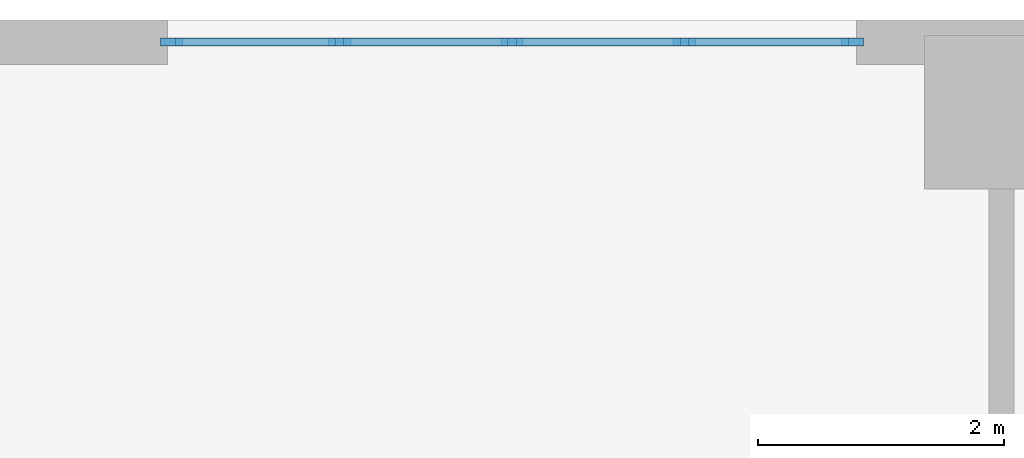
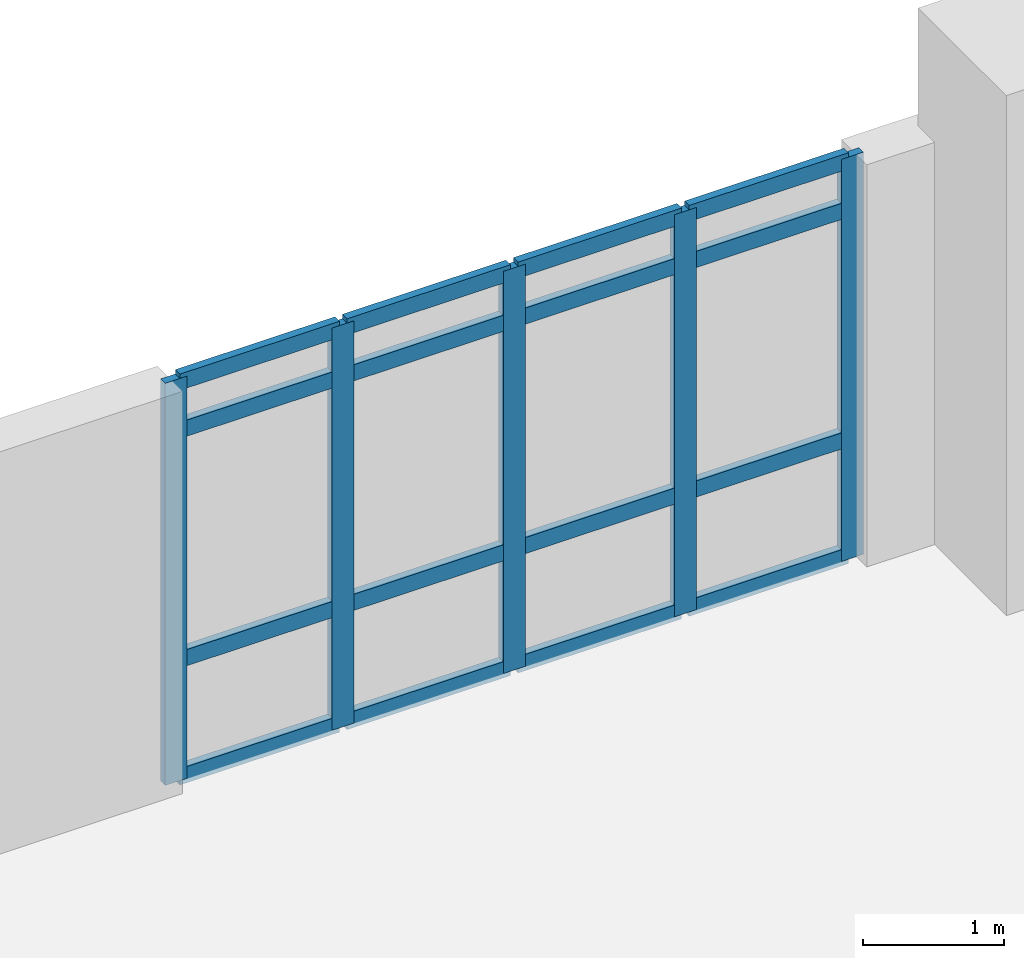
# One storey, part 4 of 15: 21 members, 1 element without a shape of its own.
"""IFC4 building model written with IfcOpenShell, lengths in metres."""

from ifc_helpers import new_model, si_unit, direction, frame, origin, origin_2d, place, context, subcontext, project, spatial, rectangle, extrude, material, material_profile, profile_set, type_object, element, aggregate, save


model = new_model("IFC4")

# Units and contexts
model_context = context("Model", 3, precision=1e-05, world=origin(), true_north=direction((0.0, 1.0)))
body_context = subcontext(model_context, "Body", "Model", "MODEL_VIEW")
ifc_project = project(units=[si_unit("LENGTHUNIT", "METRE"), si_unit("AREAUNIT", "SQUARE_METRE"), si_unit("VOLUMEUNIT", "CUBIC_METRE"), si_unit("PLANEANGLEUNIT", "RADIAN"), si_unit("MASSUNIT", "GRAM", prefix="KILO")], contexts=[model_context])

# Site, building, storey
site_placement = place(None, origin())
site = spatial("IfcSite", under=ifc_project, at=site_placement, CompositionType="ELEMENT")
building_placement = place(site_placement, origin())
building = spatial("IfcBuilding", under=site, at=building_placement, Name="Svetorya Sky Lyceum", CompositionType="ELEMENT")
storey_placement = place(building_placement, frame((0.0, 0.0, 6.60009765625)))
storey = spatial("IfcBuildingStorey", under=building, at=storey_placement, Name="L01", CompositionType="ELEMENT", Elevation=6.60009765625)

# Curtain wall, members
ifc_material_1 = material(Name="Thermally broken anodized aluminium and triple low-E glass", Category="aluminium")
curtain_wall_type = type_object("IfcCurtainWallType", Name="CW2-SCH-RIB", PredefinedType="NOTDEFINED", material=ifc_material_1)
curtain_wall_placement = place(storey_placement, origin())
curtain_wall = element("IfcCurtainWall", 1, at=curtain_wall_placement, inside=storey, type_object=curtain_wall_type, Name="L01 Lyceum Classroom Ribbon Curtain Wall 18", PredefinedType="NOTDEFINED")
ifc_material_2 = material(Name="Thermally broken anodized aluminium EN AW-6060", Category="aluminium")
ifc_material_profile_1 = material_profile(ifc_material_2, rectangle(XDim=0.06494140625, YDim=0.179931640625, at=origin_2d()), Name="ALU MULLION 65x180")
ifc_profile_set_1 = profile_set([ifc_material_profile_1], Name="Thermally broken anodized aluminium EN AW-6060")
member_type_1 = type_object("IfcMemberType", Name="CWM-MUL-180", PredefinedType="MULLION", material=ifc_profile_set_1)
member_1_placement = place(storey_placement, frame((62.137451171875, 56.219970703125, 0.0), z_axis=(0.0, 0.0, 1.0), x_axis=(0.0, -1.0, 0.0)))
member_1 = element("IfcMember", 2, at=member_1_placement, type_object=member_type_1, Name="CW-2 mullion 1", PredefinedType="MULLION", context=body_context, shape_type="SweptSolid", body=[
    extrude(rectangle(XDim=0.06494140625, YDim=0.179931640625, at=origin_2d()), origin(), (0.0, 0.0, 1.0), 3.47998046875),
])
member_2_placement = place(storey_placement, frame((60.77001953125, 56.219970703125, 0.0), z_axis=(0.0, 0.0, 1.0), x_axis=(0.0, -1.0, 0.0)))
member_2 = element("IfcMember", 3, at=member_2_placement, type_object=member_type_1, Name="CW-2 mullion 2", PredefinedType="MULLION", context=body_context, shape_type="SweptSolid", body=[
    extrude(rectangle(XDim=0.06494140625, YDim=0.179931640625, at=origin_2d()), origin(), (0.0, 0.0, 1.0), 3.47998046875),
])
member_3_placement = place(storey_placement, frame((59.3701171875, 56.219970703125, 0.0), z_axis=(0.0, 0.0, 1.0), x_axis=(0.0, -1.0, 0.0)))
member_3 = element("IfcMember", 4, at=member_3_placement, type_object=member_type_1, Name="CW-2 mullion 3", PredefinedType="MULLION", context=body_context, shape_type="SweptSolid", body=[
    extrude(rectangle(XDim=0.06494140625, YDim=0.179931640625, at=origin_2d()), origin(), (0.0, 0.0, 1.0), 3.47998046875),
])
member_4_placement = place(storey_placement, frame((57.969970703125, 56.219970703125, 0.0), z_axis=(0.0, 0.0, 1.0), x_axis=(0.0, -1.0, 0.0)))
member_4 = element("IfcMember", 5, at=member_4_placement, type_object=member_type_1, Name="CW-2 mullion 4", PredefinedType="MULLION", context=body_context, shape_type="SweptSolid", body=[
    extrude(rectangle(XDim=0.06494140625, YDim=0.179931640625, at=origin_2d()), origin(), (0.0, 0.0, 1.0), 3.47998046875),
])
member_5_placement = place(storey_placement, frame((56.6025390625, 56.219970703125, 0.0), z_axis=(0.0, 0.0, 1.0), x_axis=(0.0, -1.0, 0.0)))
member_5 = element("IfcMember", 6, at=member_5_placement, type_object=member_type_1, Name="CW-2 mullion 5", PredefinedType="MULLION", context=body_context, shape_type="SweptSolid", body=[
    extrude(rectangle(XDim=0.06494140625, YDim=0.179931640625, at=origin_2d()), origin(), (0.0, 0.0, 1.0), 3.47998046875),
])
ifc_material_profile_2 = material_profile(ifc_material_2, rectangle(XDim=0.06494140625, YDim=0.139892578125, at=origin_2d()), Name="ALU TRANSOM 65x140")
ifc_profile_set_2 = profile_set([ifc_material_profile_2], Name="Thermally broken anodized aluminium EN AW-6060")
member_type_2 = type_object("IfcMemberType", Name="CWM-TRN-140", PredefinedType="USERDEFINED", material=ifc_profile_set_2)
member_6_placement = place(storey_placement, frame((62.1064453125, 56.219970703125, 0.032470703125), z_axis=(-1.0, 0.0, 0.0), x_axis=(0.0, -1.0, 0.0)))
member_6 = element("IfcMember", 7, at=member_6_placement, type_object=member_type_2, Name="CW-2 transom 1.1", ObjectType="TRANSOM", PredefinedType="USERDEFINED", context=body_context, shape_type="SweptSolid", body=[
    extrude(rectangle(XDim=0.06494140625, YDim=0.139892578125, at=origin_2d()), origin(), (0.0, 0.0, 1.0), 1.305419921875),
])
member_7_placement = place(storey_placement, frame((62.1064453125, 56.219970703125, 1.0439453125), z_axis=(-1.0, 0.0, 0.0), x_axis=(0.0, -1.0, 0.0)))
member_7 = element("IfcMember", 8, at=member_7_placement, type_object=member_type_2, Name="CW-2 transom 1.2", ObjectType="TRANSOM", PredefinedType="USERDEFINED", context=body_context, shape_type="SweptSolid", body=[
    extrude(rectangle(XDim=0.06494140625, YDim=0.139892578125, at=origin_2d()), origin(), (0.0, 0.0, 1.0), 1.305419921875),
])
member_8_placement = place(storey_placement, frame((62.1064453125, 56.219970703125, 3.02978515625), z_axis=(-1.0, 0.0, 0.0), x_axis=(0.0, -1.0, 0.0)))
member_8 = element("IfcMember", 9, at=member_8_placement, type_object=member_type_2, Name="CW-2 transom 1.3", ObjectType="TRANSOM", PredefinedType="USERDEFINED", context=body_context, shape_type="SweptSolid", body=[
    extrude(rectangle(XDim=0.06494140625, YDim=0.139892578125, at=origin_2d()), origin(), (0.0, 0.0, 1.0), 1.305419921875),
])
member_9_placement = place(storey_placement, frame((62.1064453125, 56.219970703125, 3.447509765625), z_axis=(-1.0, 0.0, 0.0), x_axis=(0.0, -1.0, 0.0)))
member_9 = element("IfcMember", 10, at=member_9_placement, type_object=member_type_2, Name="CW-2 transom 1.4", ObjectType="TRANSOM", PredefinedType="USERDEFINED", context=body_context, shape_type="SweptSolid", body=[
    extrude(rectangle(XDim=0.06494140625, YDim=0.139892578125, at=origin_2d()), origin(), (0.0, 0.0, 1.0), 1.305419921875),
])
member_10_placement = place(storey_placement, frame((60.739013671875, 56.219970703125, 0.032470703125), z_axis=(-1.0, 0.0, 0.0), x_axis=(0.0, -1.0, 0.0)))
member_10 = element("IfcMember", 11, at=member_10_placement, type_object=member_type_2, Name="CW-2 transom 2.1", ObjectType="TRANSOM", PredefinedType="USERDEFINED", context=body_context, shape_type="SweptSolid", body=[
    extrude(rectangle(XDim=0.06494140625, YDim=0.139892578125, at=origin_2d()), origin(), (0.0, 0.0, 1.0), 1.338134765625),
])
member_11_placement = place(storey_placement, frame((60.739013671875, 56.219970703125, 1.0439453125), z_axis=(-1.0, 0.0, 0.0), x_axis=(0.0, -1.0, 0.0)))
member_11 = element("IfcMember", 12, at=member_11_placement, type_object=member_type_2, Name="CW-2 transom 2.2", ObjectType="TRANSOM", PredefinedType="USERDEFINED", context=body_context, shape_type="SweptSolid", body=[
    extrude(rectangle(XDim=0.06494140625, YDim=0.139892578125, at=origin_2d()), origin(), (0.0, 0.0, 1.0), 1.338134765625),
])
member_12_placement = place(storey_placement, frame((60.739013671875, 56.219970703125, 3.02978515625), z_axis=(-1.0, 0.0, 0.0), x_axis=(0.0, -1.0, 0.0)))
member_12 = element("IfcMember", 13, at=member_12_placement, type_object=member_type_2, Name="CW-2 transom 2.3", ObjectType="TRANSOM", PredefinedType="USERDEFINED", context=body_context, shape_type="SweptSolid", body=[
    extrude(rectangle(XDim=0.06494140625, YDim=0.139892578125, at=origin_2d()), origin(), (0.0, 0.0, 1.0), 1.338134765625),
])
member_13_placement = place(storey_placement, frame((60.739013671875, 56.219970703125, 3.447509765625), z_axis=(-1.0, 0.0, 0.0), x_axis=(0.0, -1.0, 0.0)))
member_13 = element("IfcMember", 14, at=member_13_placement, type_object=member_type_2, Name="CW-2 transom 2.4", ObjectType="TRANSOM", PredefinedType="USERDEFINED", context=body_context, shape_type="SweptSolid", body=[
    extrude(rectangle(XDim=0.06494140625, YDim=0.139892578125, at=origin_2d()), origin(), (0.0, 0.0, 1.0), 1.338134765625),
])
member_14_placement = place(storey_placement, frame((59.339111328125, 56.219970703125, 0.032470703125), z_axis=(-1.0, 0.0, 0.0), x_axis=(0.0, -1.0, 0.0)))
member_14 = element("IfcMember", 15, at=member_14_placement, type_object=member_type_2, Name="CW-2 transom 3.1", ObjectType="TRANSOM", PredefinedType="USERDEFINED", context=body_context, shape_type="SweptSolid", body=[
    extrude(rectangle(XDim=0.06494140625, YDim=0.139892578125, at=origin_2d()), origin(), (0.0, 0.0, 1.0), 1.338134765625),
])
member_15_placement = place(storey_placement, frame((59.339111328125, 56.219970703125, 1.0439453125), z_axis=(-1.0, 0.0, 0.0), x_axis=(0.0, -1.0, 0.0)))
member_15 = element("IfcMember", 16, at=member_15_placement, type_object=member_type_2, Name="CW-2 transom 3.2", ObjectType="TRANSOM", PredefinedType="USERDEFINED", context=body_context, shape_type="SweptSolid", body=[
    extrude(rectangle(XDim=0.06494140625, YDim=0.139892578125, at=origin_2d()), origin(), (0.0, 0.0, 1.0), 1.338134765625),
])
member_16_placement = place(storey_placement, frame((59.339111328125, 56.219970703125, 3.02978515625), z_axis=(-1.0, 0.0, 0.0), x_axis=(0.0, -1.0, 0.0)))
member_16 = element("IfcMember", 17, at=member_16_placement, type_object=member_type_2, Name="CW-2 transom 3.3", ObjectType="TRANSOM", PredefinedType="USERDEFINED", context=body_context, shape_type="SweptSolid", body=[
    extrude(rectangle(XDim=0.06494140625, YDim=0.139892578125, at=origin_2d()), origin(), (0.0, 0.0, 1.0), 1.338134765625),
])
member_17_placement = place(storey_placement, frame((59.339111328125, 56.219970703125, 3.447509765625), z_axis=(-1.0, 0.0, 0.0), x_axis=(0.0, -1.0, 0.0)))
member_17 = element("IfcMember", 18, at=member_17_placement, type_object=member_type_2, Name="CW-2 transom 3.4", ObjectType="TRANSOM", PredefinedType="USERDEFINED", context=body_context, shape_type="SweptSolid", body=[
    extrude(rectangle(XDim=0.06494140625, YDim=0.139892578125, at=origin_2d()), origin(), (0.0, 0.0, 1.0), 1.338134765625),
])
member_18_placement = place(storey_placement, frame((57.93896484375, 56.219970703125, 0.032470703125), z_axis=(-1.0, 0.0, 0.0), x_axis=(0.0, -1.0, 0.0)))
member_18 = element("IfcMember", 19, at=member_18_placement, type_object=member_type_2, Name="CW-2 transom 4.1", ObjectType="TRANSOM", PredefinedType="USERDEFINED", context=body_context, shape_type="SweptSolid", body=[
    extrude(rectangle(XDim=0.06494140625, YDim=0.139892578125, at=origin_2d()), origin(), (0.0, 0.0, 1.0), 1.305419921875),
])
member_19_placement = place(storey_placement, frame((57.93896484375, 56.219970703125, 1.0439453125), z_axis=(-1.0, 0.0, 0.0), x_axis=(0.0, -1.0, 0.0)))
member_19 = element("IfcMember", 20, at=member_19_placement, type_object=member_type_2, Name="CW-2 transom 4.2", ObjectType="TRANSOM", PredefinedType="USERDEFINED", context=body_context, shape_type="SweptSolid", body=[
    extrude(rectangle(XDim=0.06494140625, YDim=0.139892578125, at=origin_2d()), origin(), (0.0, 0.0, 1.0), 1.305419921875),
])
member_20_placement = place(storey_placement, frame((57.93896484375, 56.219970703125, 3.02978515625), z_axis=(-1.0, 0.0, 0.0), x_axis=(0.0, -1.0, 0.0)))
member_20 = element("IfcMember", 21, at=member_20_placement, type_object=member_type_2, Name="CW-2 transom 4.3", ObjectType="TRANSOM", PredefinedType="USERDEFINED", context=body_context, shape_type="SweptSolid", body=[
    extrude(rectangle(XDim=0.06494140625, YDim=0.139892578125, at=origin_2d()), origin(), (0.0, 0.0, 1.0), 1.305419921875),
])
member_21_placement = place(storey_placement, frame((57.93896484375, 56.219970703125, 3.447509765625), z_axis=(-1.0, 0.0, 0.0), x_axis=(0.0, -1.0, 0.0)))
member_21 = element("IfcMember", 22, at=member_21_placement, type_object=member_type_2, Name="CW-2 transom 4.4", ObjectType="TRANSOM", PredefinedType="USERDEFINED", context=body_context, shape_type="SweptSolid", body=[
    extrude(rectangle(XDim=0.06494140625, YDim=0.139892578125, at=origin_2d()), origin(), (0.0, 0.0, 1.0), 1.305419921875),
])
aggregate(curtain_wall, [member_1, member_2, member_3, member_4, member_5, member_6, member_7, member_8, member_9, member_10, member_11, member_12, member_13, member_14, member_15, member_16, member_17, member_18, member_19, member_20, member_21])

save(model, "model.ifc")
